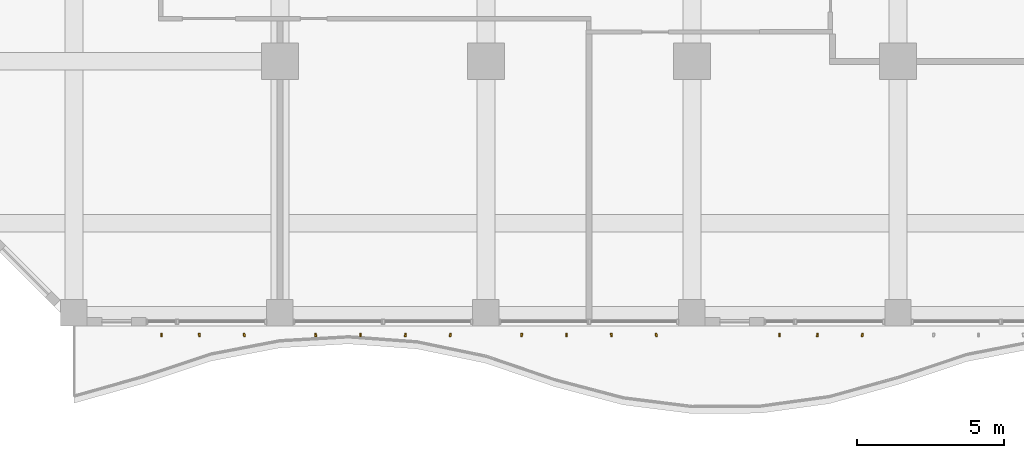
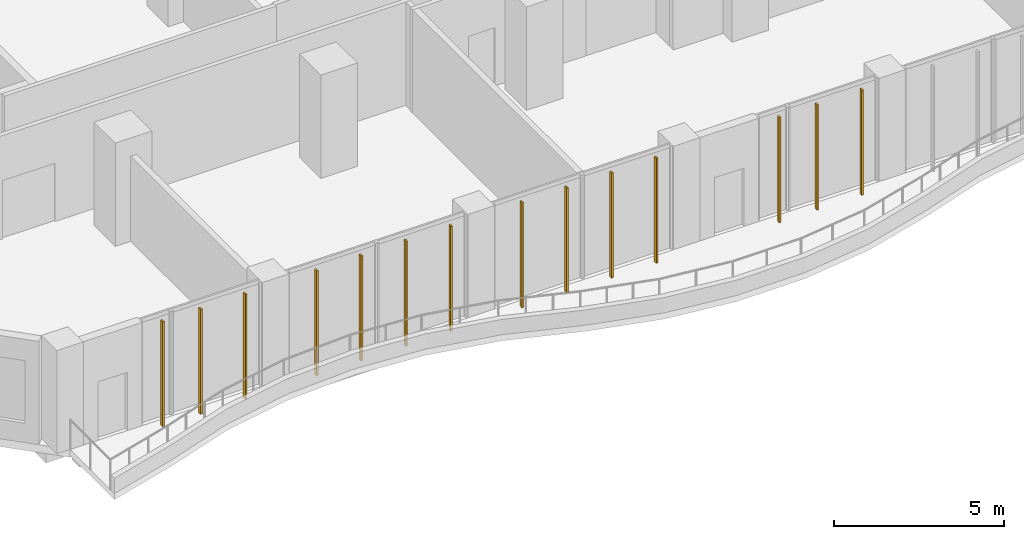
# One storey, part 20 of 28: 14 shading devices.
"""IFC4 building model written with IfcOpenShell, lengths in metres."""

from ifc_helpers import new_model, si_unit, direction, frame, origin, origin_2d, place, context, subcontext, project, spatial, rectangle, extrude, source, transform, mapped, material, material_profile, profile_set, type_object, element, save


model = new_model("IFC4")

# Units and contexts
model_context = context("Model", 3, precision=1e-05, world=origin(), true_north=direction((0.0, 1.0)))
body_context = subcontext(model_context, "Body", "Model", "MODEL_VIEW")
ifc_project = project(units=[si_unit("LENGTHUNIT", "METRE"), si_unit("AREAUNIT", "SQUARE_METRE"), si_unit("VOLUMEUNIT", "CUBIC_METRE"), si_unit("PLANEANGLEUNIT", "RADIAN"), si_unit("MASSUNIT", "GRAM", prefix="KILO")], contexts=[model_context])

# Site, building, storey
site_placement = place(None, origin())
site = spatial("IfcSite", under=ifc_project, at=site_placement, CompositionType="ELEMENT")
building_placement = place(site_placement, origin())
building = spatial("IfcBuilding", under=site, at=building_placement, Name="Kilnfold Tower and Market Hall", CompositionType="ELEMENT")
storey_placement = place(building_placement, frame((0.0, 0.0, 87.199951171875)))
storey = spatial("IfcBuildingStorey", under=building, at=storey_placement, Name="L20", CompositionType="ELEMENT", Elevation=87.199951171875)

# Shading devices
ifc_material = material(Name="Terracotta", Category="masonry")
ifc_material_profile = material_profile(ifc_material, rectangle(XDim=0.06005859375, YDim=0.1201171875, at=origin_2d()), Name="BAG 60x120")
ifc_profile_set = profile_set([ifc_material_profile], Name="Terracotta")
shading_device_type = type_object("IfcShadingDeviceType", Name="BAGUETTE", PredefinedType="USERDEFINED", material=ifc_profile_set)
shared_shape = source(origin(), body_context, "Body", "SweptSolid", [
    extrude(rectangle(XDim=0.06005859375, YDim=0.1201171875, at=origin_2d()), origin(), (0.0, 0.0, 1.0), 3.780029296875),
])
for number, where, z_axis, x_axis, name in (
    (1, (-16.52490234375, -28.300048828125, 0.0), (0.0, 0.0, 1.0), (0.999868893572, 0.016192457118, 0.0), "Terracotta baguette L20 S"),
    (2, (-15.237548828125, -28.300048828125, 0.0), (0.0, 0.0, 1.0), (0.996014023413, 0.089196777774, 0.0), "Terracotta baguette L20 S"),
    (3, (-13.71240234375, -28.300048828125, 0.0), (0.0, 0.0, 1.0), (0.990623068684, 0.136623335457, 0.0), "Terracotta baguette L20 S"),
    (4, (-11.28759765625, -28.300048828125, 0.0), (0.0, 0.0, 1.0), (0.996198195945, 0.087115752859, 0.0), "Terracotta baguette L20 S"),
    (5, (-9.762451171875, -28.300048828125, 0.0), (0.0, 0.0, 1.0), (0.999999092265, -0.001347393775, 0.0), "Terracotta baguette L20 S"),
    (6, (-8.237548828125, -28.300048828125, 0.0), (0.0, 0.0, 1.0), (0.996014023413, -0.089196777774, 0.0), "Terracotta baguette L20 S"),
    (7, (-6.71240234375, -28.300048828125, 0.0), (0.0, 0.0, 1.0), (0.990623068684, -0.136623335457, 0.0), "Terracotta baguette L20 S"),
    (8, (-4.28759765625, -28.300048828125, 0.0), (0.0, 0.0, 1.0), (0.996198195945, -0.087115752859, 0.0), "Terracotta baguette L20 S"),
    (9, (-2.762451171875, -28.300048828125, 0.0), (0.0, 0.0, 1.0), (0.999999092265, 0.001347393775, 0.0), "Terracotta baguette L20 S"),
    (10, (-1.237548828125, -28.300048828125, 0.0), (0.0, 0.0, 1.0), (0.996014023413, 0.089196777774, 0.0), "Terracotta baguette L20 S"),
    (11, (0.28759765625, -28.300048828125, 0.0), (0.0, 0.0, 1.0), (0.990623068684, 0.136623335457, 0.0), "Terracotta baguette L20 S"),
    (12, (4.47509765625, -28.300048828125, 0.0), (0.0, 0.0, 1.0), (0.999868893572, -0.016192457118, 0.0), "Terracotta baguette L20 S"),
    (13, (5.762451171875, -28.300048828125, 0.0), (0.0, 0.0, 1.0), (0.996014023413, -0.089196777774, 0.0), "Terracotta baguette L20 S"),
    (14, (7.28759765625, -28.300048828125, 0.0), (0.0, 0.0, 1.0), (0.990623068684, -0.136623335457, 0.0), "Terracotta baguette L20 S"),
):
    element("IfcShadingDevice", number, at=place(storey_placement, frame(where, z_axis=z_axis, x_axis=x_axis)), inside=storey, type_object=shading_device_type, Name=name, ObjectType="BAGUETTE", PredefinedType="USERDEFINED", context=body_context, shape_type="MappedRepresentation", body=[
        mapped(shared_shape, transform((0.0, 0.0, 0.0))),
    ])

save(model, "model.ifc")
